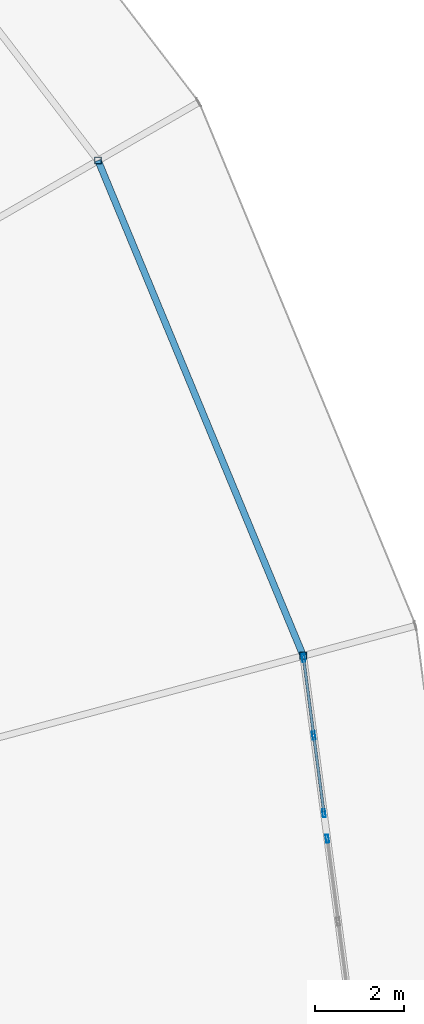
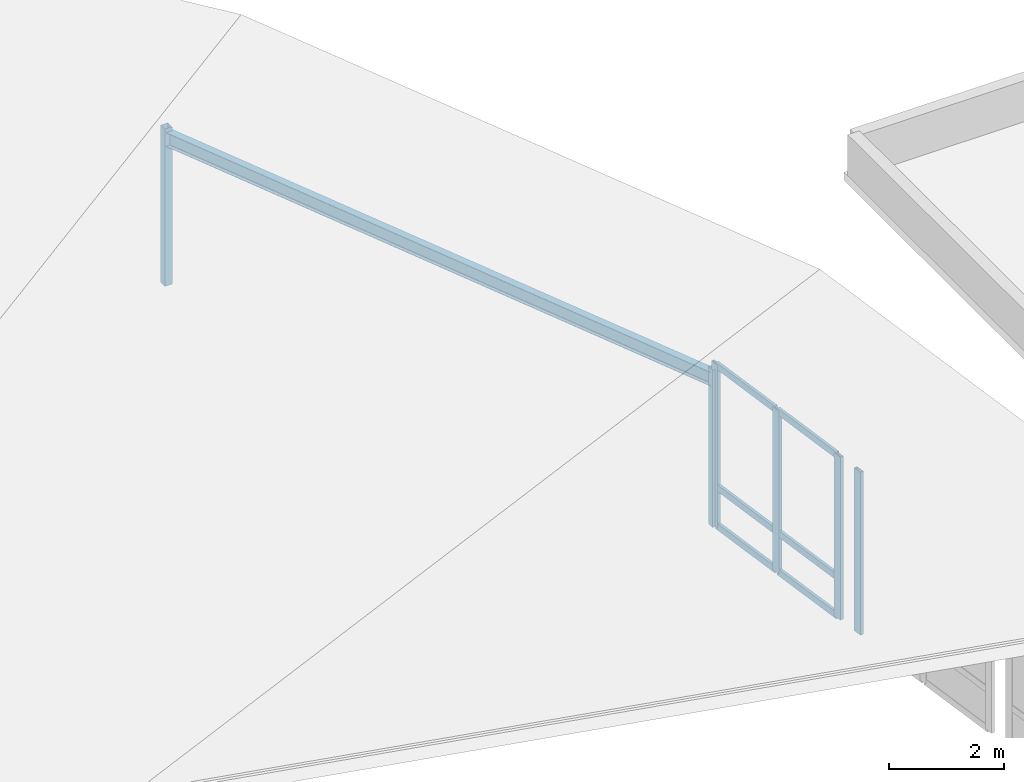
# One storey, part 120 of 200: 12 members, 1 beam, 2 elements without a shape of their own.
"""IFC4 building model written with IfcOpenShell, lengths in metres."""

from ifc_helpers import new_model, si_unit, direction, frame, origin, origin_2d, place, context, subcontext, project, spatial, hollow_rectangle, i_section, extrude, material, material_profile, profile_set, type_object, element, aggregate, save


model = new_model("IFC4")

# Units and contexts
model_context = context("Model", 3, precision=1e-05, world=origin(), true_north=direction((0.0, 1.0)))
body_context = subcontext(model_context, "Body", "Model", "MODEL_VIEW")
ifc_project = project(units=[si_unit("LENGTHUNIT", "METRE"), si_unit("AREAUNIT", "SQUARE_METRE"), si_unit("VOLUMEUNIT", "CUBIC_METRE"), si_unit("PLANEANGLEUNIT", "RADIAN"), si_unit("MASSUNIT", "GRAM", prefix="KILO")], contexts=[model_context])

# Site, building, storey
site_placement = place(None, origin())
site = spatial("IfcSite", under=ifc_project, at=site_placement, CompositionType="ELEMENT")
building_placement = place(site_placement, origin())
building = spatial("IfcBuilding", under=site, at=building_placement, Name="Vondelvale Polytechnic", CompositionType="ELEMENT")
storey_placement = place(building_placement, frame((0.0, 0.0, 13.800048828125)))
storey = spatial("IfcBuildingStorey", under=building, at=storey_placement, Name="L03", CompositionType="ELEMENT", Elevation=13.800048828125)

# Beam
ifc_material_1 = material(Name="Steel 300PLUS (fy = 300 MPa)", Category="steel")
ifc_material_profile_1 = material_profile(ifc_material_1, i_section(OverallWidth=0.14892578125, OverallDepth=0.298095703125, WebThickness=0.005615234375, FlangeThickness=0.008056640625, FilletRadius=0.011474609375, at=origin_2d()), Name="310UB32.0")
ifc_profile_set_1 = profile_set([ifc_material_profile_1], Name="Steel 300PLUS (fy = 300 MPa)")
beam_type = type_object("IfcBeamType", Name="BM-UB310L", PredefinedType="BEAM", material=ifc_profile_set_1)
beam_placement = place(storey_placement, frame((146.4326171875, 83.90576171875, 3.11083984375), z_axis=(-0.382688765072, 0.923877323614, 0.0), x_axis=(-0.923877323614, -0.382688765072, 0.0)))
element("IfcBeam", 1, at=beam_placement, inside=storey, type_object=beam_type, Name="L03 RE B-25", PredefinedType="BEAM", context=body_context, shape_type="SweptSolid", body=[
    extrude(i_section(OverallWidth=0.14892578125, OverallDepth=0.298095703125, WebThickness=0.005615234375, FlangeThickness=0.008056640625, FilletRadius=0.011474609375, at=origin_2d()), origin(), (0.0, 0.0, 1.0), 12.00830078125),
])

# Curtain wall, member
ifc_material_2 = material(Name="Glulam GL18 structural Tasmanian oak (fb = 42 MPa)", Category="wood")
curtain_wall_type = type_object("IfcCurtainWallType", Name="CW-RING-OUTER", PredefinedType="NOTDEFINED", material=ifc_material_2)
curtain_wall_1_placement = place(storey_placement, origin())
curtain_wall_1 = element("IfcCurtainWall", 2, at=curtain_wall_1_placement, inside=storey, type_object=curtain_wall_type, Name="L03 architectural curtain wall CW-04-383", PredefinedType="NOTDEFINED")
ifc_material_3 = material(Name="Anodised extruded aluminium 6063-T6", Category="aluminium")
ifc_material_profile_2 = material_profile(ifc_material_3, hollow_rectangle(XDim=0.06494140625, YDim=0.179931640625, WallThickness=0.00390625, at=origin_2d()), Name="CW-MUL-180x65")
ifc_profile_set_2 = profile_set([ifc_material_profile_2], Name="Anodised extruded aluminium 6063-T6")
member_type_1 = type_object("IfcMemberType", Name="CW-MUL-65x180", PredefinedType="MULLION", material=ifc_profile_set_2)
member_1_placement = place(storey_placement, frame((146.9716796875, 79.810791015625, 0.0), z_axis=(0.0, 0.0, 1.0), x_axis=(-0.991441883651, -0.130548808277, 0.0)))
member_1 = element("IfcMember", 3, at=member_1_placement, type_object=member_type_1, Name="CW-04-383 mullion 3", PredefinedType="MULLION", context=body_context, shape_type="SweptSolid", body=[
    extrude(hollow_rectangle(XDim=0.06494140625, YDim=0.179931640625, WallThickness=0.00390625, at=origin_2d()), origin(), (0.0, 0.0, 1.0), 3.46142578125),
])
aggregate(curtain_wall_1, [member_1])

# Curtain wall, members
curtain_wall_2_placement = place(storey_placement, origin())
curtain_wall_2 = element("IfcCurtainWall", 4, at=curtain_wall_2_placement, inside=storey, type_object=curtain_wall_type, Name="L03 architectural curtain wall CW-04-384", PredefinedType="NOTDEFINED")
member_2_placement = place(storey_placement, frame((146.896728515625, 80.380859375, 0.0), z_axis=(0.0, 0.0, 1.0), x_axis=(-0.991445814414, -0.130518952959, 0.0)))
member_2 = element("IfcMember", 5, at=member_2_placement, type_object=member_type_1, Name="CW-04-384 mullion 1", PredefinedType="MULLION", context=body_context, shape_type="SweptSolid", body=[
    extrude(hollow_rectangle(XDim=0.06494140625, YDim=0.179931640625, WallThickness=0.00390625, at=origin_2d()), origin(), (0.0, 0.0, 1.0), 3.46142578125),
])
member_3_placement = place(storey_placement, frame((146.667724609375, 82.11962890625, 0.0), z_axis=(0.0, 0.0, 1.0), x_axis=(-0.991445814414, -0.130518952959, 0.0)))
member_3 = element("IfcMember", 6, at=member_3_placement, type_object=member_type_1, Name="CW-04-384 mullion 2", PredefinedType="MULLION", context=body_context, shape_type="SweptSolid", body=[
    extrude(hollow_rectangle(XDim=0.06494140625, YDim=0.179931640625, WallThickness=0.00390625, at=origin_2d()), origin(), (0.0, 0.0, 1.0), 3.46142578125),
])
member_4_placement = place(storey_placement, frame((146.438720703125, 83.858642578125, 0.0), z_axis=(0.0, 0.0, 1.0), x_axis=(-0.991445814414, -0.130518952959, 0.0)))
member_4 = element("IfcMember", 7, at=member_4_placement, type_object=member_type_1, Name="CW-04-384 mullion 3", PredefinedType="MULLION", context=body_context, shape_type="SweptSolid", body=[
    extrude(hollow_rectangle(XDim=0.06494140625, YDim=0.179931640625, WallThickness=0.00390625, at=origin_2d()), origin(), (0.0, 0.0, 1.0), 3.46142578125),
])
ifc_material_profile_3 = material_profile(ifc_material_3, hollow_rectangle(XDim=0.06005859375, YDim=0.139892578125, WallThickness=0.00341796875, at=origin_2d()), Name="CW-TRN-140x60")
ifc_profile_set_3 = profile_set([ifc_material_profile_3], Name="Anodised extruded aluminium 6063-T6")
member_type_2 = type_object("IfcMemberType", Name="CW-TRN-60x140", PredefinedType="USERDEFINED", material=ifc_profile_set_3)
member_5_placement = place(storey_placement, frame((146.892333984375, 80.4130859375, 0.030029296875), z_axis=(-0.130525555549, 0.991444945193, 0.0), x_axis=(-0.991444945193, -0.130525555549, 0.0)))
member_5 = element("IfcMember", 8, at=member_5_placement, type_object=member_type_2, Name="CW-04-384 transom 1.1", ObjectType="TRANSOM", PredefinedType="USERDEFINED", context=body_context, shape_type="SweptSolid", body=[
    extrude(hollow_rectangle(XDim=0.06005859375, YDim=0.139892578125, WallThickness=0.00341796875, at=origin_2d()), origin(), (0.0, 0.0, 1.0), 1.68896484375),
])
member_6_placement = place(storey_placement, frame((146.892333984375, 80.4130859375, 0.849853515625), z_axis=(-0.130525555549, 0.991444945193, 0.0), x_axis=(-0.991444945193, -0.130525555549, 0.0)))
member_6 = element("IfcMember", 9, at=member_6_placement, type_object=member_type_2, Name="CW-04-384 transom 1.2", ObjectType="TRANSOM", PredefinedType="USERDEFINED", context=body_context, shape_type="SweptSolid", body=[
    extrude(hollow_rectangle(XDim=0.06005859375, YDim=0.139892578125, WallThickness=0.00341796875, at=origin_2d()), origin(), (0.0, 0.0, 1.0), 1.68896484375),
])
member_7_placement = place(storey_placement, frame((146.892333984375, 80.4130859375, 3.431396484375), z_axis=(-0.130525555549, 0.991444945193, 0.0), x_axis=(-0.991444945193, -0.130525555549, 0.0)))
member_7 = element("IfcMember", 10, at=member_7_placement, type_object=member_type_2, Name="CW-04-384 transom 1.3", ObjectType="TRANSOM", PredefinedType="USERDEFINED", context=body_context, shape_type="SweptSolid", body=[
    extrude(hollow_rectangle(XDim=0.06005859375, YDim=0.139892578125, WallThickness=0.00341796875, at=origin_2d()), origin(), (0.0, 0.0, 1.0), 1.68896484375),
])
member_8_placement = place(storey_placement, frame((146.66357421875, 82.15185546875, 0.030029296875), z_axis=(-0.130525555549, 0.991444945193, 0.0), x_axis=(-0.991444945193, -0.130525555549, 0.0)))
member_8 = element("IfcMember", 11, at=member_8_placement, type_object=member_type_2, Name="CW-04-384 transom 2.1", ObjectType="TRANSOM", PredefinedType="USERDEFINED", context=body_context, shape_type="SweptSolid", body=[
    extrude(hollow_rectangle(XDim=0.06005859375, YDim=0.139892578125, WallThickness=0.00341796875, at=origin_2d()), origin(), (0.0, 0.0, 1.0), 1.68896484375),
])
member_9_placement = place(storey_placement, frame((146.66357421875, 82.15185546875, 0.849853515625), z_axis=(-0.130525555549, 0.991444945193, 0.0), x_axis=(-0.991444945193, -0.130525555549, 0.0)))
member_9 = element("IfcMember", 12, at=member_9_placement, type_object=member_type_2, Name="CW-04-384 transom 2.2", ObjectType="TRANSOM", PredefinedType="USERDEFINED", context=body_context, shape_type="SweptSolid", body=[
    extrude(hollow_rectangle(XDim=0.06005859375, YDim=0.139892578125, WallThickness=0.00341796875, at=origin_2d()), origin(), (0.0, 0.0, 1.0), 1.68896484375),
])
member_10_placement = place(storey_placement, frame((146.66357421875, 82.15185546875, 3.431396484375), z_axis=(-0.130525555549, 0.991444945193, 0.0), x_axis=(-0.991444945193, -0.130525555549, 0.0)))
member_10 = element("IfcMember", 13, at=member_10_placement, type_object=member_type_2, Name="CW-04-384 transom 2.3", ObjectType="TRANSOM", PredefinedType="USERDEFINED", context=body_context, shape_type="SweptSolid", body=[
    extrude(hollow_rectangle(XDim=0.06005859375, YDim=0.139892578125, WallThickness=0.00341796875, at=origin_2d()), origin(), (0.0, 0.0, 1.0), 1.68896484375),
])
aggregate(curtain_wall_2, [member_2, member_3, member_4, member_5, member_6, member_7, member_8, member_9, member_10])

# Members
ifc_material_4 = material(Name="Steel C350L0 (fy = 350 MPa)", Category="steel")
ifc_material_profile_4 = material_profile(ifc_material_4, hollow_rectangle(XDim=0.14990234375, YDim=0.14990234375, WallThickness=0.006103515625, at=origin_2d()), Name="150x150x6.0SHS")
ifc_profile_set_4 = profile_set([ifc_material_profile_4], Name="Steel C350L0 (fy = 350 MPa)")
member_type_3 = type_object("IfcMemberType", Name="ROOF TRUSS POST 150SHS", PredefinedType="POST", material=ifc_profile_set_4)
for number, where, z_axis, x_axis, name in (
    (14, (146.4326171875, 83.90576171875, 0.0), (0.0, 0.0, 1.0), (1.0, 0.0, 0.0), "Ring outer roof post 01"),
    (15, (141.837158203125, 95.0, 0.0), (0.0, 0.0, 1.0), (1.0, 0.0, 0.0), "Ring outer roof post 02"),
):
    element("IfcMember", number, at=place(storey_placement, frame(where, z_axis=z_axis, x_axis=x_axis)), inside=storey, type_object=member_type_3, Name=name, PredefinedType="POST", context=body_context, shape_type="SweptSolid", body=[
        extrude(hollow_rectangle(XDim=0.14990234375, YDim=0.14990234375, WallThickness=0.006103515625, at=origin_2d()), origin(), (0.0, 0.0, 1.0), 3.33984375),
    ])

save(model, "model.ifc")
